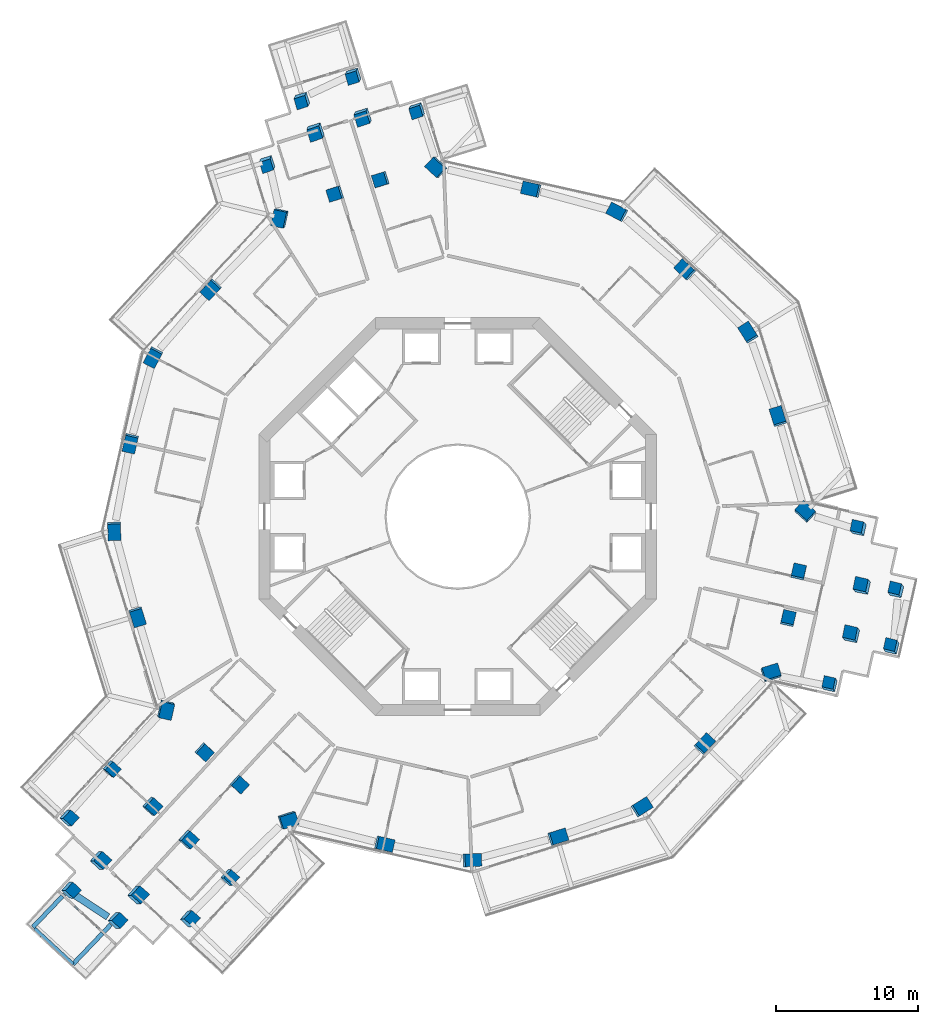
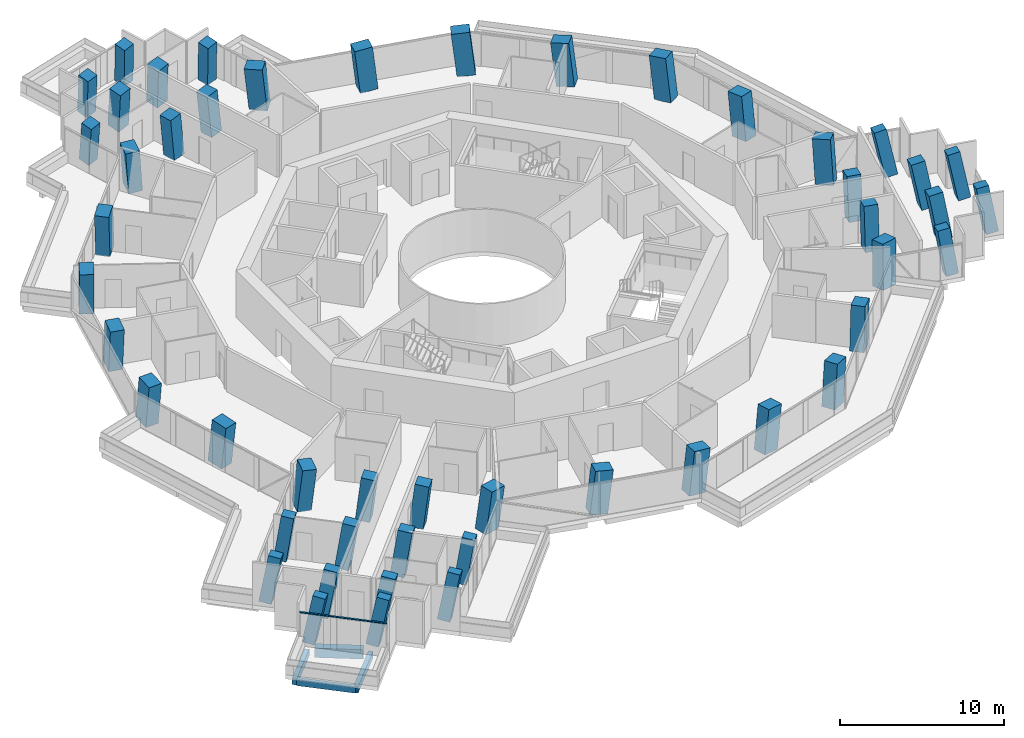
# One storey, part 1 of 25: 49 columns, 4 beams, 1 member, 1 element without a shape of its own.
"""IFC4 building model written with IfcOpenShell, lengths in metres."""

from ifc_helpers import new_model, si_unit, direction, frame, origin, origin_2d, place, context, subcontext, project, spatial, rectangle, extrude, material, layer, layer_set, material_profile, profile_set, type_object, element, aggregate, save


model = new_model("IFC4")

# Units and contexts
model_context = context("Model", 3, precision=1e-05, world=origin(), true_north=direction((0.0, 1.0)))
body_context = subcontext(model_context, "Body", "Model", "MODEL_VIEW")
ifc_project = project(units=[si_unit("LENGTHUNIT", "METRE"), si_unit("AREAUNIT", "SQUARE_METRE"), si_unit("VOLUMEUNIT", "CUBIC_METRE"), si_unit("PLANEANGLEUNIT", "RADIAN"), si_unit("MASSUNIT", "GRAM", prefix="KILO")], contexts=[model_context])

# Site, building, storey
site_placement = place(None, origin())
site = spatial("IfcSite", under=ifc_project, at=site_placement, CompositionType="ELEMENT")
building_placement = place(site_placement, origin())
building = spatial("IfcBuilding", under=site, at=building_placement, Name="Verdalira Terraces Hotel", CompositionType="ELEMENT")
storey_placement = place(building_placement, frame((0.0, 0.0, 103.5)))
storey = spatial("IfcBuildingStorey", under=building, at=storey_placement, Name="L24", CompositionType="ELEMENT", Elevation=103.5)

# Columns
ifc_material_1 = material(Name="Concrete C80", Category="concrete")
ifc_material_profile_1 = material_profile(ifc_material_1, rectangle(XDim=1.149902, YDim=0.899902, at=origin_2d()), Name="RC 1150X900")
ifc_profile_set_1 = profile_set([ifc_material_profile_1], Name="Concrete C80")
column_type_1 = type_object("IfcColumnType", Name="Column RC 1150X900 C80", PredefinedType="COLUMN", material=ifc_profile_set_1)
column_1_placement = place(storey_placement, frame((-12.48877, 21.02417, 0.0), z_axis=(-0.099428594, -0.06020447, 0.993221716), x_axis=(0.212793811, 0.973789548, 0.080328764)))
element("IfcColumn", 1, at=column_1_placement, inside=storey, type_object=column_type_1, Name="Column C03", PredefinedType="COLUMN", context=body_context, shape_type="SweptSolid", body=[
    extrude(rectangle(XDim=1.149902, YDim=0.899902, at=origin_2d()), origin(), (0.0, 0.0, 1.0), 3.21167),
])
column_2_placement = place(storey_placement, frame((-17.344482, 16.016357, 0.0), z_axis=(-0.075517991, -0.083123025, 0.993673787), x_axis=(-0.674399767, -0.729776299, -0.112300969)))
element("IfcColumn", 2, at=column_2_placement, inside=storey, type_object=column_type_1, Name="Column C04", PredefinedType="COLUMN", context=body_context, shape_type="SweptSolid", body=[
    extrude(rectangle(XDim=1.149902, YDim=0.899902, at=origin_2d()), origin(), (0.0, 0.0, 1.0), 3.210205),
])
column_3_placement = place(storey_placement, frame((-21.416016, 11.253174, 0.0), z_axis=(-0.052686348, -0.10225561, 0.993361937), x_axis=(0.462460096, 0.879147052, 0.115026606)))
element("IfcColumn", 3, at=column_3_placement, inside=storey, type_object=column_type_1, Name="Column C05", PredefinedType="COLUMN", context=body_context, shape_type="SweptSolid", body=[
    extrude(rectangle(XDim=1.149902, YDim=0.899902, at=origin_2d()), origin(), (0.0, 0.0, 1.0), 3.211182),
])
column_4_placement = place(storey_placement, frame((-23.028809, 5.198242, 0.0), z_axis=(-0.023879798, -0.109740599, 0.993673365), x_axis=(-0.219512496, -0.969124304, -0.112304706)))
element("IfcColumn", 4, at=column_4_placement, inside=storey, type_object=column_type_1, Name="Column C06", PredefinedType="COLUMN", context=body_context, shape_type="SweptSolid", body=[
    extrude(rectangle(XDim=1.149902, YDim=0.899902, at=origin_2d()), origin(), (0.0, 0.0, 1.0), 3.210205),
])
column_5_placement = place(storey_placement, frame((-24.173584, -0.962402, 0.0), z_axis=(0.005549897, -0.114951301, 0.993355625), x_axis=(-0.039478608, 0.992571296, 0.115081107)))
element("IfcColumn", 5, at=column_5_placement, inside=storey, type_object=column_type_1, Name="Column C07", PredefinedType="COLUMN", context=body_context, shape_type="SweptSolid", body=[
    extrude(rectangle(XDim=1.149902, YDim=0.899902, at=origin_2d()), origin(), (0.0, 0.0, 1.0), 3.211182),
])
column_6_placement = place(storey_placement, frame((-22.542725, -7.012695, 0.0), z_axis=(0.034222789, -0.106927204, 0.993677701), x_axis=(0.29485661, -0.948923521, -0.112266336)))
element("IfcColumn", 6, at=column_6_placement, inside=storey, type_object=column_type_1, Name="Column C08", PredefinedType="COLUMN", context=body_context, shape_type="SweptSolid", body=[
    extrude(rectangle(XDim=1.149902, YDim=0.899902, at=origin_2d()), origin(), (0.0, 0.0, 1.0), 3.210205),
])
column_7_placement = place(storey_placement, frame((-20.556885, -13.564941, 0.0), z_axis=(0.06529081, -0.09721414, 0.99311959), x_axis=(0.226403708, 0.970731294, 0.08013811)))
element("IfcColumn", 7, at=column_7_placement, inside=storey, type_object=column_type_1, Name="Column C09", PredefinedType="COLUMN", context=body_context, shape_type="SweptSolid", body=[
    extrude(rectangle(XDim=1.149902, YDim=0.899902, at=origin_2d()), origin(), (0.0, 0.0, 1.0), 3.212158),
])
column_8_placement = place(storey_placement, frame((-11.963135, -21.327637, 0.0), z_axis=(0.101860909, -0.0560235, 0.993219876), x_axis=(-0.949753388, -0.302512886, 0.080339625)))
element("IfcColumn", 8, at=column_8_placement, inside=storey, type_object=column_type_1, Name="Column C16", PredefinedType="COLUMN", context=body_context, shape_type="SweptSolid", body=[
    extrude(rectangle(XDim=1.149902, YDim=0.899902, at=origin_2d()), origin(), (0.0, 0.0, 1.0), 3.21167),
])
column_9_placement = place(storey_placement, frame((-5.198242, -23.028809, 0.0), z_axis=(0.109740599, -0.023879798, 0.993673365), x_axis=(0.969124304, -0.219512496, -0.112304706)))
element("IfcColumn", 9, at=column_9_placement, inside=storey, type_object=column_type_1, Name="Column C17", PredefinedType="COLUMN", context=body_context, shape_type="SweptSolid", body=[
    extrude(rectangle(XDim=1.149902, YDim=0.899902, at=origin_2d()), origin(), (0.0, 0.0, 1.0), 3.210205),
])
column_10_placement = place(storey_placement, frame((0.962402, -24.173584, 0.0), z_axis=(0.114951301, 0.005549897, 0.993355625), x_axis=(-0.992571296, -0.039478608, 0.115081107)))
element("IfcColumn", 10, at=column_10_placement, inside=storey, type_object=column_type_1, Name="Column C18", PredefinedType="COLUMN", context=body_context, shape_type="SweptSolid", body=[
    extrude(rectangle(XDim=1.149902, YDim=0.899902, at=origin_2d()), origin(), (0.0, 0.0, 1.0), 3.211182),
])
column_11_placement = place(storey_placement, frame((7.012695, -22.542725, 0.0), z_axis=(0.106927204, 0.034222789, 0.993677701), x_axis=(0.948923521, 0.29485661, -0.112266336)))
element("IfcColumn", 11, at=column_11_placement, inside=storey, type_object=column_type_1, Name="Column C19", PredefinedType="COLUMN", context=body_context, shape_type="SweptSolid", body=[
    extrude(rectangle(XDim=1.149902, YDim=0.899902, at=origin_2d()), origin(), (0.0, 0.0, 1.0), 3.210205),
])
column_12_placement = place(storey_placement, frame((12.92041, -20.453613, 0.0), z_axis=(0.096705826, 0.062265779, 0.993363456), x_axis=(-0.839747489, -0.530656246, 0.115013491)))
element("IfcColumn", 12, at=column_12_placement, inside=storey, type_object=column_type_1, Name="Column C20", PredefinedType="COLUMN", context=body_context, shape_type="SweptSolid", body=[
    extrude(rectangle(XDim=1.149902, YDim=0.899902, at=origin_2d()), origin(), (0.0, 0.0, 1.0), 3.211182),
])
column_13_placement = place(storey_placement, frame((17.344482, -16.016357, 0.0), z_axis=(0.075517991, 0.083123025, 0.993673787), x_axis=(0.674399767, 0.729776299, -0.112300969)))
element("IfcColumn", 13, at=column_13_placement, inside=storey, type_object=column_type_1, Name="Column C21", PredefinedType="COLUMN", context=body_context, shape_type="SweptSolid", body=[
    extrude(rectangle(XDim=1.149902, YDim=0.899902, at=origin_2d()), origin(), (0.0, 0.0, 1.0), 3.210205),
])
column_14_placement = place(storey_placement, frame((22.025879, -11.020264, 0.0), z_axis=(0.051533576, 0.105119374, 0.99312346), x_axis=(-0.953890651, -0.289264774, 0.080115647)))
element("IfcColumn", 14, at=column_14_placement, inside=storey, type_object=column_type_1, Name="Column C22", PredefinedType="COLUMN", context=body_context, shape_type="SweptSolid", body=[
    extrude(rectangle(XDim=1.149902, YDim=0.899902, at=origin_2d()), origin(), (0.0, 0.0, 1.0), 3.211914),
])
column_15_placement = place(storey_placement, frame((24.451904, 0.303467, 0.0), z_axis=(-0.002432499, 0.116227826, 0.993219601), x_axis=(0.736974698, -0.671128585, 0.080341252)))
element("IfcColumn", 15, at=column_15_placement, inside=storey, type_object=column_type_1, Name="Column C27", PredefinedType="COLUMN", context=body_context, shape_type="SweptSolid", body=[
    extrude(rectangle(XDim=1.149902, YDim=0.899902, at=origin_2d()), origin(), (0.0, 0.0, 1.0), 3.21167),
])
column_16_placement = place(storey_placement, frame((22.542725, 7.012695, 0.0), z_axis=(-0.034222789, 0.106927204, 0.993677701), x_axis=(-0.29485661, 0.948923521, -0.112266336)))
element("IfcColumn", 16, at=column_16_placement, inside=storey, type_object=column_type_1, Name="Column C28", PredefinedType="COLUMN", context=body_context, shape_type="SweptSolid", body=[
    extrude(rectangle(XDim=1.149902, YDim=0.899902, at=origin_2d()), origin(), (0.0, 0.0, 1.0), 3.210205),
])
column_17_placement = place(storey_placement, frame((20.453613, 12.92041, 0.0), z_axis=(-0.062265779, 0.096705826, 0.993363456), x_axis=(0.530656246, -0.839747489, 0.115013491)))
element("IfcColumn", 17, at=column_17_placement, inside=storey, type_object=column_type_1, Name="Column C29", PredefinedType="COLUMN", context=body_context, shape_type="SweptSolid", body=[
    extrude(rectangle(XDim=1.149902, YDim=0.899902, at=origin_2d()), origin(), (0.0, 0.0, 1.0), 3.211182),
])
column_18_placement = place(storey_placement, frame((16.016357, 17.344482, 0.0), z_axis=(-0.083123025, 0.075517991, 0.993673787), x_axis=(-0.729776299, 0.674399767, -0.112300969)))
element("IfcColumn", 18, at=column_18_placement, inside=storey, type_object=column_type_1, Name="Column C30", PredefinedType="COLUMN", context=body_context, shape_type="SweptSolid", body=[
    extrude(rectangle(XDim=1.149902, YDim=0.899902, at=origin_2d()), origin(), (0.0, 0.0, 1.0), 3.210205),
])
column_19_placement = place(storey_placement, frame((11.253174, 21.416016, 0.0), z_axis=(-0.10225561, 0.052686348, 0.993361937), x_axis=(0.879147052, -0.462460096, 0.115026606)))
element("IfcColumn", 19, at=column_19_placement, inside=storey, type_object=column_type_1, Name="Column C31", PredefinedType="COLUMN", context=body_context, shape_type="SweptSolid", body=[
    extrude(rectangle(XDim=1.149902, YDim=0.899902, at=origin_2d()), origin(), (0.0, 0.0, 1.0), 3.211182),
])
column_20_placement = place(storey_placement, frame((5.198242, 23.028809, 0.0), z_axis=(-0.109740599, 0.023879798, 0.993673365), x_axis=(-0.969124304, 0.219512496, -0.112304706)))
element("IfcColumn", 20, at=column_20_placement, inside=storey, type_object=column_type_1, Name="Column C32", PredefinedType="COLUMN", context=body_context, shape_type="SweptSolid", body=[
    extrude(rectangle(XDim=1.149902, YDim=0.899902, at=origin_2d()), origin(), (0.0, 0.0, 1.0), 3.210205),
])
column_21_placement = place(storey_placement, frame((-1.468994, 24.585205, 0.0), z_axis=(-0.116899266, -0.007980769, 0.99311171), x_axis=(0.72770275, -0.681189593, 0.08018383)))
element("IfcColumn", 21, at=column_21_placement, inside=storey, type_object=column_type_1, Name="Column C33", PredefinedType="COLUMN", context=body_context, shape_type="SweptSolid", body=[
    extrude(rectangle(XDim=1.149902, YDim=0.899902, at=origin_2d()), origin(), (0.0, 0.0, 1.0), 3.212158),
])
ifc_material_2 = material(Name="Concrete C80", Category="concrete")
ifc_material_profile_2 = material_profile(ifc_material_2, rectangle(XDim=0.800049, YDim=0.800049, at=origin_2d()), Name="RC 800X800")
ifc_profile_set_2 = profile_set([ifc_material_profile_2], Name="Concrete C80")
column_type_2 = type_object("IfcColumnType", Name="Column RC 800X800 C80", PredefinedType="COLUMN", material=ifc_profile_set_2)
column_22_placement = place(storey_placement, frame((-2.844971, 28.637451, 0.0), z_axis=(-0.084824705, -0.165513453, 0.982552831), x_axis=(-0.310882677, 0.94127647, 0.131721556)))
element("IfcColumn", 22, at=column_22_placement, inside=storey, type_object=column_type_2, Name="Column C01", PredefinedType="COLUMN", context=body_context, shape_type="SweptSolid", body=[
    extrude(rectangle(XDim=0.800049, YDim=0.800049, at=origin_2d()), origin(), (0.0, 0.0, 1.0), 3.246582),
])
column_23_placement = place(storey_placement, frame((-13.376465, 24.921387, 0.0), z_axis=(-0.066395613, -0.213211981, 0.974747287), x_axis=(0.314521447, -0.931572246, -0.182344206)))
element("IfcColumn", 23, at=column_23_placement, inside=storey, type_object=column_type_2, Name="Column C02", PredefinedType="COLUMN", context=body_context, shape_type="SweptSolid", body=[
    extrude(rectangle(XDim=0.800049, YDim=0.800049, at=origin_2d()), origin(), (0.0, 0.0, 1.0), 3.272461),
])
column_24_placement = place(storey_placement, frame((-24.401611, -17.728516, 0.0), z_axis=(0.138196736, -0.055097056, 0.988871062), x_axis=(-0.671941399, -0.738723667, 0.052745612)))
element("IfcColumn", 24, at=column_24_placement, inside=storey, type_object=column_type_2, Name="Column C10", PredefinedType="COLUMN", context=body_context, shape_type="SweptSolid", body=[
    extrude(rectangle(XDim=0.800049, YDim=0.800049, at=origin_2d()), origin(), (0.0, 0.0, 1.0), 3.22583),
])
column_25_placement = place(storey_placement, frame((-27.44873, -21.190674, 0.0), z_axis=(0.205804741, -0.009586247, 0.978546122), x_axis=(-0.656891231, -0.742538925, 0.130881074)))
element("IfcColumn", 25, at=column_25_placement, inside=storey, type_object=column_type_2, Name="Column C11", PredefinedType="COLUMN", context=body_context, shape_type="SweptSolid", body=[
    extrude(rectangle(XDim=0.800049, YDim=0.800049, at=origin_2d()), origin(), (0.0, 0.0, 1.0), 3.259766),
])
column_26_placement = place(storey_placement, frame((-27.331055, -26.281006, 0.0), z_axis=(0.228440579, -0.008866415, 0.973517482), x_axis=(0.705509386, -0.687558529, -0.171813198)))
element("IfcColumn", 26, at=column_26_placement, inside=storey, type_object=column_type_2, Name="Column C12", PredefinedType="COLUMN", context=body_context, shape_type="SweptSolid", body=[
    extrude(rectangle(XDim=0.800049, YDim=0.800049, at=origin_2d()), origin(), (0.0, 0.0, 1.0), 3.276611),
])
column_27_placement = place(storey_placement, frame((-24.061523, -28.415527, 0.0), z_axis=(0.237734823, 0.006541796, 0.971308066), x_axis=(0.704598469, -0.689478153, -0.167812018)))
element("IfcColumn", 27, at=column_27_placement, inside=storey, type_object=column_type_2, Name="Column C13", PredefinedType="COLUMN", context=body_context, shape_type="SweptSolid", body=[
    extrude(rectangle(XDim=0.800049, YDim=0.800049, at=origin_2d()), origin(), (0.0, 0.0, 1.0), 3.28418),
])
column_28_placement = place(storey_placement, frame((-18.970459, -28.312012, 0.0), z_axis=(0.237000555, 0.030173166, 0.971040842), x_axis=(0.645919084, 0.74171259, -0.180695796)))
element("IfcColumn", 28, at=column_28_placement, inside=storey, type_object=column_type_2, Name="Column C14", PredefinedType="COLUMN", context=body_context, shape_type="SweptSolid", body=[
    extrude(rectangle(XDim=0.800049, YDim=0.800049, at=origin_2d()), origin(), (0.0, 0.0, 1.0), 3.285156),
])
column_29_placement = place(storey_placement, frame((-16.114502, -25.381104, 0.0), z_axis=(0.173416128, -0.015525303, 0.984726262), x_axis=(0.663788196, 0.740481906, -0.105222514)))
element("IfcColumn", 29, at=column_29_placement, inside=storey, type_object=column_type_2, Name="Column C15", PredefinedType="COLUMN", context=body_context, shape_type="SweptSolid", body=[
    extrude(rectangle(XDim=0.800049, YDim=0.800049, at=origin_2d()), origin(), (0.0, 0.0, 1.0), 3.239502),
])
column_30_placement = place(storey_placement, frame((26.223389, -11.85498, 0.0), z_axis=(-0.100992308, 0.156188402, 0.982550628), x_axis=(0.970686458, -0.201034973, 0.131729799)))
element("IfcColumn", 30, at=column_30_placement, inside=storey, type_object=column_type_2, Name="Column C23", PredefinedType="COLUMN", context=body_context, shape_type="SweptSolid", body=[
    extrude(rectangle(XDim=0.800049, YDim=0.800049, at=origin_2d()), origin(), (0.0, 0.0, 1.0), 3.246582),
])
column_31_placement = place(storey_placement, frame((30.572998, -9.207764, 0.0), z_axis=(-0.113090255, 0.175735221, 0.977920102), x_axis=(0.239203302, 0.960101163, -0.144870759)))
element("IfcColumn", 31, at=column_31_placement, inside=storey, type_object=column_type_2, Name="Column C24", PredefinedType="COLUMN", context=body_context, shape_type="SweptSolid", body=[
    extrude(rectangle(XDim=0.800049, YDim=0.800049, at=origin_2d()), origin(), (0.0, 0.0, 1.0), 3.261963),
])
column_32_placement = place(storey_placement, frame((30.906006, -5.233643, 0.0), z_axis=(-0.131320912, 0.176712109, 0.975462787), x_axis=(0.241640067, 0.960011001, -0.141382302)))
element("IfcColumn", 32, at=column_32_placement, inside=storey, type_object=column_type_2, Name="Column C25", PredefinedType="COLUMN", context=body_context, shape_type="SweptSolid", body=[
    extrude(rectangle(XDim=0.800049, YDim=0.800049, at=origin_2d()), origin(), (0.0, 0.0, 1.0), 3.270264),
])
column_33_placement = place(storey_placement, frame((28.270996, -0.876465, 0.0), z_axis=(-0.151514302, 0.164121843, 0.974734547), x_axis=(-0.964051178, 0.193233945, -0.182389608)))
element("IfcColumn", 33, at=column_33_placement, inside=storey, type_object=column_type_2, Name="Column C26", PredefinedType="COLUMN", context=body_context, shape_type="SweptSolid", body=[
    extrude(rectangle(XDim=0.800049, YDim=0.800049, at=origin_2d()), origin(), (0.0, 0.0, 1.0), 3.272705),
])
column_34_placement = place(storey_placement, frame((-7.312256, 31.080811, 0.0), z_axis=(-0.095724983, -0.185836695, 0.977906668), x_axis=(-0.951143025, -0.272629384, -0.144914334)))
element("IfcColumn", 34, at=column_34_placement, inside=storey, type_object=column_type_2, Name="Column C34", PredefinedType="COLUMN", context=body_context, shape_type="SweptSolid", body=[
    extrude(rectangle(XDim=0.800049, YDim=0.800049, at=origin_2d()), origin(), (0.0, 0.0, 1.0), 3.261963),
])
column_35_placement = place(storey_placement, frame((-10.920654, 29.382324, 0.0), z_axis=(-0.087348196, -0.202095356, 0.975462844), x_axis=(-0.952175875, -0.27087302, -0.14138214)))
element("IfcColumn", 35, at=column_35_placement, inside=storey, type_object=column_type_2, Name="Column C35", PredefinedType="COLUMN", context=body_context, shape_type="SweptSolid", body=[
    extrude(rectangle(XDim=0.800049, YDim=0.800049, at=origin_2d()), origin(), (0.0, 0.0, 1.0), 3.270264),
])
ifc_material_3 = material(Name="Concrete C80", Category="concrete")
ifc_material_profile_3 = material_profile(ifc_material_3, rectangle(XDim=0.899902, YDim=0.899902, at=origin_2d()), Name="RC 900X900")
ifc_profile_set_3 = profile_set([ifc_material_profile_3], Name="Concrete C80")
column_type_3 = type_object("IfcColumnType", Name="Column RC 900X900 C80", PredefinedType="COLUMN", material=ifc_profile_set_3)
for number, where, z_axis, x_axis, name in (
    (36, (-5.385254, 23.729736, 0.0), (-0.112661617, -0.026606995, 0.993277115), (-0.296496994, 0.954999873, -0.008048262), "Column C36"),
    (37, (-8.590332, 22.732666, 0.0), (-0.107723285, -0.041736121, 0.99330448), (-0.297857964, 0.95457828, 0.007806424), "Column C37"),
):
    element("IfcColumn", number, at=place(storey_placement, frame(where, z_axis=z_axis, x_axis=x_axis)), inside=storey, type_object=column_type_3, Name=name, PredefinedType="COLUMN", context=body_context, shape_type="SweptSolid", body=[
        extrude(rectangle(XDim=0.899902, YDim=0.899902, at=origin_2d()), origin(), (0.0, 0.0, 1.0), 3.211426),
    ])
column_36_placement = place(storey_placement, frame((-6.645996, 28.198486, 0.0), z_axis=(-0.082328694, -0.182802692, 0.979696464), x_axis=(-0.312892268, 0.938069489, 0.148741597)))
element("IfcColumn", 38, at=column_36_placement, inside=storey, type_object=column_type_3, Name="Column C38", PredefinedType="COLUMN", context=body_context, shape_type="SweptSolid", body=[
    extrude(rectangle(XDim=0.899902, YDim=0.899902, at=origin_2d()), origin(), (0.0, 0.0, 1.0), 3.256104),
])
column_37_placement = place(storey_placement, frame((-9.968994, 27.164795, 0.0), z_axis=(-0.077181302, -0.197889267, 0.977181091), x_axis=(-0.314141346, 0.935009502, 0.164537064)))
element("IfcColumn", 39, at=column_37_placement, inside=storey, type_object=column_type_3, Name="Column C39", PredefinedType="COLUMN", context=body_context, shape_type="SweptSolid", body=[
    extrude(rectangle(XDim=0.899902, YDim=0.899902, at=origin_2d()), origin(), (0.0, 0.0, 1.0), 3.264404),
])
for number, where, z_axis, x_axis, name in (
    (40, (-17.85791, -16.528809, 0.0), (0.079289602, -0.084230949, 0.993286618), (-0.679045892, -0.734051765, -0.008042591), "Column C40"),
    (41, (-15.39209, -18.805908, 0.0), (0.090085841, -0.07237276, 0.993300924), (-0.67719269, -0.735764288, 0.00780849), "Column C41"),
):
    element("IfcColumn", number, at=place(storey_placement, frame(where, z_axis=z_axis, x_axis=x_axis)), inside=storey, type_object=column_type_3, Name=name, PredefinedType="COLUMN", context=body_context, shape_type="SweptSolid", body=[
        extrude(rectangle(XDim=0.899902, YDim=0.899902, at=origin_2d()), origin(), (0.0, 0.0, 1.0), 3.211426),
    ])
column_38_placement = place(storey_placement, frame((-21.550049, -20.361816, 0.0), z_axis=(0.150364243, -0.041427655, 0.987762291), x_axis=(-0.669237704, -0.739662492, 0.070854029)))
element("IfcColumn", 42, at=column_38_placement, inside=storey, type_object=column_type_3, Name="Column C42", PredefinedType="COLUMN", context=body_context, shape_type="SweptSolid", body=[
    extrude(rectangle(XDim=0.899902, YDim=0.899902, at=origin_2d()), origin(), (0.0, 0.0, 1.0), 3.229492),
])
column_39_placement = place(storey_placement, frame((-19.001709, -22.714844, 0.0), z_axis=(0.161193316, -0.029294148, 0.986487997), x_axis=(-0.666897943, -0.740053291, 0.086995747)))
element("IfcColumn", 43, at=column_39_placement, inside=storey, type_object=column_type_3, Name="Column C43", PredefinedType="COLUMN", context=body_context, shape_type="SweptSolid", body=[
    extrude(rectangle(XDim=0.899902, YDim=0.899902, at=origin_2d()), origin(), (0.0, 0.0, 1.0), 3.233643),
])
column_40_placement = place(storey_placement, frame((-25.242188, -24.19458, 0.0), z_axis=(0.219167391, 0.000821411, 0.975686927), x_axis=(-0.65312303, -0.742780273, 0.147335579)))
element("IfcColumn", 44, at=column_40_placement, inside=storey, type_object=column_type_3, Name="Column C44", PredefinedType="COLUMN", context=body_context, shape_type="SweptSolid", body=[
    extrude(rectangle(XDim=0.899902, YDim=0.899902, at=origin_2d()), origin(), (0.0, 0.0, 1.0), 3.269531),
])
column_41_placement = place(storey_placement, frame((-22.611328, -26.624023, 0.0), z_axis=(0.229770755, 0.013182957, 0.973155491), x_axis=(-0.649382941, -0.742702316, 0.163386245)))
element("IfcColumn", 45, at=column_41_placement, inside=storey, type_object=column_type_3, Name="Column C45", PredefinedType="COLUMN", context=body_context, shape_type="SweptSolid", body=[
    extrude(rectangle(XDim=0.899902, YDim=0.899902, at=origin_2d()), origin(), (0.0, 0.0, 1.0), 3.277832),
])
for number, where, z_axis, x_axis, name in (
    (46, (23.243164, -7.200928, 0.0), (0.033297151, 0.110762439, 0.993288972), (0.975227219, -0.221059294, -0.008041186), "Column C46"),
    (47, (23.982178, -3.927002, 0.0), (0.017713093, 0.114184831, 0.993301601), (0.975633041, -0.219269702, 0.007808097), "Column C47"),
):
    element("IfcColumn", number, at=place(storey_placement, frame(where, z_axis=z_axis, x_axis=x_axis)), inside=storey, type_object=column_type_3, Name=name, PredefinedType="COLUMN", context=body_context, shape_type="SweptSolid", body=[
        extrude(rectangle(XDim=0.899902, YDim=0.899902, at=origin_2d()), origin(), (0.0, 0.0, 1.0), 3.211426),
    ])
column_42_placement = place(storey_placement, frame((27.743652, -8.34375, 0.0), z_axis=(-0.117192444, 0.162779779, 0.979677842), x_axis=(0.96882016, -0.198099349, 0.148809092)))
element("IfcColumn", 48, at=column_42_placement, inside=storey, type_object=column_type_3, Name="Column C48", PredefinedType="COLUMN", context=body_context, shape_type="SweptSolid", body=[
    extrude(rectangle(XDim=0.899902, YDim=0.899902, at=origin_2d()), origin(), (0.0, 0.0, 1.0), 3.256104),
])
column_43_placement = place(storey_placement, frame((28.51001, -4.948975, 0.0), z_axis=(-0.132822549, 0.165803823, 0.977173098), x_axis=(0.966824199, -0.195369264, 0.164565547)))
element("IfcColumn", 49, at=column_43_placement, inside=storey, type_object=column_type_3, Name="Column C49", PredefinedType="COLUMN", context=body_context, shape_type="SweptSolid", body=[
    extrude(rectangle(XDim=0.899902, YDim=0.899902, at=origin_2d()), origin(), (0.0, 0.0, 1.0), 3.264404),
])

# Beams
ifc_material_4 = material(Name="Concrete C40", Category="concrete")
ifc_material_profile_4 = material_profile(ifc_material_4, rectangle(XDim=0.300049, YDim=0.5, at=origin_2d()), Name="RC 300X500")
ifc_profile_set_4 = profile_set([ifc_material_profile_4], Name="Concrete C40")
beam_type_1 = type_object("IfcBeamType", Name="Balcony cantilever beam RC 300X500 C40", PredefinedType="BEAM", material=ifc_profile_set_4)
beam_1_placement = place(storey_placement, frame((-27.680664, -26.565918, -0.560059), z_axis=(-0.690651515, -0.723187724, 0.0), x_axis=(0.723187724, -0.690651515, 0.0)))
element("IfcBeam", 50, at=beam_1_placement, inside=storey, type_object=beam_type_1, Name="Balcony cantilever beam R19-1", PredefinedType="BEAM", context=body_context, shape_type="SweptSolid", body=[
    extrude(rectangle(XDim=0.300049, YDim=0.5, at=origin_2d()), origin(), (0.0, 0.0, 1.0), 3.204102),
])
beam_2_placement = place(storey_placement, frame((-24.414307, -28.705078, -0.560059), z_axis=(-0.690647729, -0.72319134, 0.0), x_axis=(0.72319134, -0.690647729, 0.0)))
element("IfcBeam", 51, at=beam_2_placement, inside=storey, type_object=beam_type_1, Name="Balcony cantilever beam R19-2", PredefinedType="BEAM", context=body_context, shape_type="SweptSolid", body=[
    extrude(rectangle(XDim=0.300049, YDim=0.5, at=origin_2d()), origin(), (0.0, 0.0, 1.0), 3.848389),
])
ifc_material_5 = material(Name="Concrete C40", Category="concrete")
ifc_material_profile_5 = material_profile(ifc_material_5, rectangle(XDim=0.25, YDim=0.449951, at=origin_2d()), Name="RC 250X450")
ifc_profile_set_5 = profile_set([ifc_material_profile_5], Name="Concrete C40")
beam_type_2 = type_object("IfcBeamType", Name="Balcony edge beam RC 250X450 C40", PredefinedType="BEAM", material=ifc_profile_set_5)
beam_3_placement = place(storey_placement, frame((-29.783203, -28.984863, -0.534912), z_axis=(0.734666455, -0.678428479, 0.0), x_axis=(0.678428479, 0.734666455, 0.0)))
element("IfcBeam", 52, at=beam_3_placement, inside=storey, type_object=beam_type_2, Name="Balcony edge beam R19-1", PredefinedType="BEAM", context=body_context, shape_type="SweptSolid", body=[
    extrude(rectangle(XDim=0.25, YDim=0.449951, at=origin_2d()), origin(), (0.0, 0.0, 1.0), 3.689941),
])

# Curtain wall, member
ifc_material_6 = material(Name="Clear glass", Category="glass")
ifc_layer = layer(ifc_material_6, 0.14990234375)
ifc_layer_set = layer_set([ifc_layer], Name="CW3 curtain wall")
curtain_wall_type = type_object("IfcCurtainWallType", Name="CW3 curtain wall", PredefinedType="NOTDEFINED", material=ifc_layer_set)
curtain_wall_placement = place(storey_placement, origin())
curtain_wall = element("IfcCurtainWall", 53, at=curtain_wall_placement, inside=storey, type_object=curtain_wall_type, Name="CW3 curtain wall L24 edge 19", PredefinedType="NOTDEFINED")
ifc_material_7 = material(Name="Terracotta frame", Category="masonry")
ifc_material_profile_6 = material_profile(ifc_material_7, rectangle(XDim=0.120117, YDim=0.064941, at=origin_2d()), Name="TR 65x120")
ifc_profile_set_6 = profile_set([ifc_material_profile_6], Name="Terracotta frame")
member_type = type_object("IfcMemberType", Name="CW3 transom 65x120", PredefinedType="USERDEFINED", material=ifc_profile_set_6)
member_placement = place(storey_placement, frame((-28.088623, -26.364258, 2.45752), z_axis=(0.734667287, -0.678427577, 0.0), x_axis=(0.678427577, 0.734667287, 0.0)))
member = element("IfcMember", 54, at=member_placement, type_object=member_type, Name="CW3 transom", ObjectType="TRANSOM", PredefinedType="USERDEFINED", context=body_context, shape_type="SweptSolid", body=[
    extrude(rectangle(XDim=0.120117, YDim=0.064941, at=origin_2d()), origin(), (0.0, 0.0, 1.0), 5.500244),
])
aggregate(curtain_wall, [member])

# Beam
ifc_material_8 = material(Name="Concrete C70", Category="concrete")
ifc_material_profile_7 = material_profile(ifc_material_8, rectangle(XDim=0.5, YDim=0.699951, at=origin_2d()), Name="RC 500X700")
ifc_profile_set_7 = profile_set([ifc_material_profile_7], Name="Concrete C70")
beam_type_3 = type_object("IfcBeamType", Name="Spandrel beam RC 500X700 C70", PredefinedType="SPANDREL", material=ifc_profile_set_7)
beam_4_placement = place(storey_placement, frame((-27.098145, -26.5271, -0.659912), z_axis=(0.835645185, -0.549269629, 0.0), x_axis=(0.549269629, 0.835645185, 0.0)))
element("IfcBeam", 55, at=beam_4_placement, inside=storey, type_object=beam_type_3, Name="Spandrel beam B12", PredefinedType="SPANDREL", context=body_context, shape_type="SweptSolid", body=[
    extrude(rectangle(XDim=0.5, YDim=0.699951, at=origin_2d()), origin(), (0.0, 0.0, 1.0), 2.973633),
])

save(model, "model.ifc")
